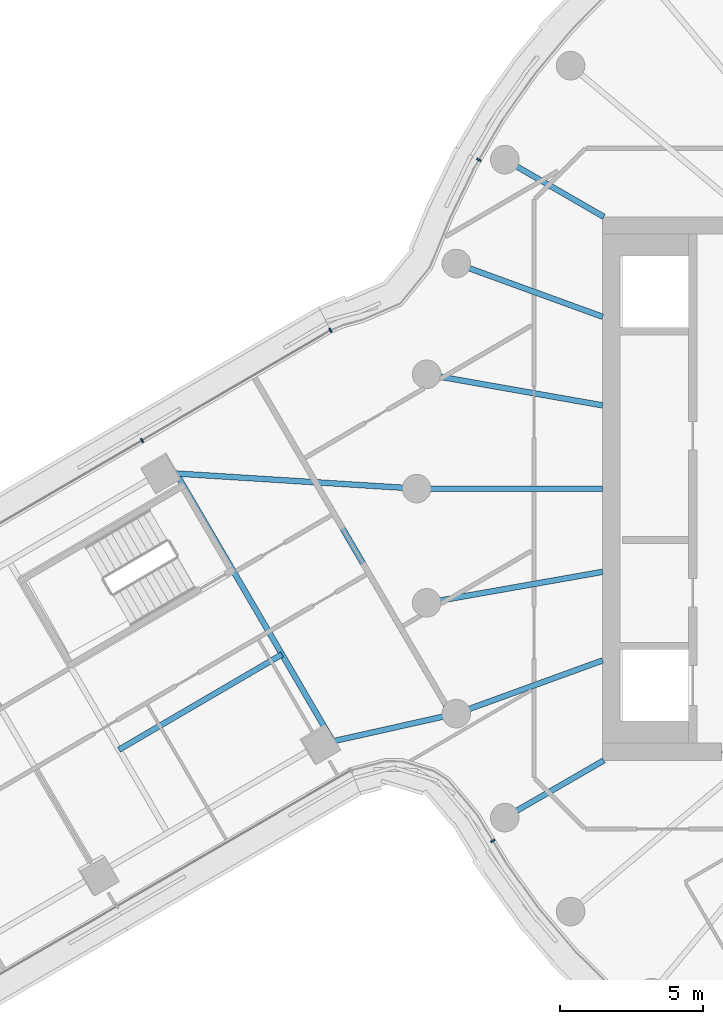
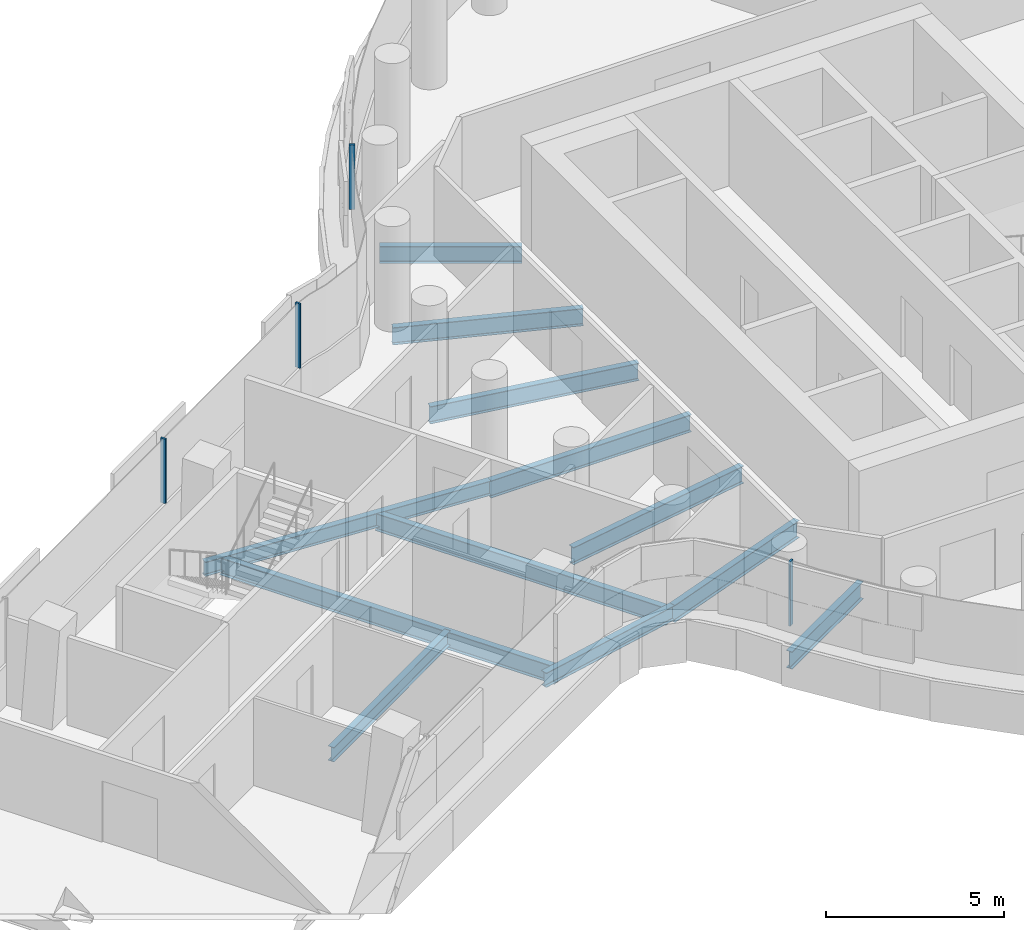
# One storey, part 8 of 35: 12 beams, 4 members, 3 elements without a shape of their own.
"""IFC4 building model written with IfcOpenShell, lengths in metres."""

from ifc_helpers import new_model, si_unit, direction, frame, origin, origin_2d, place, context, subcontext, project, spatial, rectangle, i_section, extrude, material, layer, layer_set, material_profile, profile_set, type_object, element, aggregate, save


model = new_model("IFC4")

# Units and contexts
model_context = context("Model", 3, precision=1e-05, world=origin(), true_north=direction((0.0, 1.0)))
body_context = subcontext(model_context, "Body", "Model", "MODEL_VIEW")
ifc_project = project(units=[si_unit("LENGTHUNIT", "METRE"), si_unit("AREAUNIT", "SQUARE_METRE"), si_unit("VOLUMEUNIT", "CUBIC_METRE"), si_unit("PLANEANGLEUNIT", "RADIAN"), si_unit("MASSUNIT", "GRAM", prefix="KILO")], contexts=[model_context])

# Site, building, storey
site_placement = place(None, origin())
site = spatial("IfcSite", under=ifc_project, at=site_placement, CompositionType="ELEMENT")
building_placement = place(site_placement, origin())
building = spatial("IfcBuilding", under=site, at=building_placement, Name="Tamarind Cross Interchange Tower", CompositionType="ELEMENT")
storey_placement = place(building_placement, frame((0.0, 0.0, 144.25)))
storey = spatial("IfcBuildingStorey", under=building, at=storey_placement, Name="L35", CompositionType="ELEMENT", Elevation=144.25)

# Beams
ifc_material_1 = material(Name="Steel Q355B", Category="steel")
ifc_material_profile_1 = material_profile(ifc_material_1, i_section(OverallWidth=0.198974609375, OverallDepth=0.49609375, WebThickness=0.009033203125, FlangeThickness=0.013916015625, FilletRadius=0.012939453125, at=origin_2d()), Name="HN 496x199x9x14")
ifc_profile_set_1 = profile_set([ifc_material_profile_1], Name="Steel Q355B")
beam_type_1 = type_object("IfcBeamType", Name="Composite beam HN 496x199x9x14 Q355B", PredefinedType="BEAM", material=ifc_profile_set_1)
beam_1_placement = place(storey_placement, frame((-31.941162109375, 0.561279296875, -0.387939453125), z_axis=(0.998035469088, -0.062651436077, 0.0), x_axis=(0.062651436077, 0.998035469088, 0.0)))
element("IfcBeam", 1, at=beam_1_placement, inside=storey, type_object=beam_type_1, Name="Beam W-linkem", PredefinedType="BEAM", context=body_context, shape_type="SweptSolid", body=[
    extrude(i_section(OverallWidth=0.198974609375, OverallDepth=0.49609375, WebThickness=0.009033203125, FlangeThickness=0.013916015625, FilletRadius=0.012939453125, at=origin_2d()), origin(), (0.0, 0.0, 1.0), 8.958740234375),
])
beam_2_placement = place(storey_placement, frame((-26.391357421875, -8.936279296875, -0.387939453125), z_axis=(0.975840919155, 0.218482265877, 0.0), x_axis=(-0.218482265877, 0.975840919155, 0.0)))
element("IfcBeam", 2, at=beam_2_placement, inside=storey, type_object=beam_type_1, Name="Beam W-linkep", PredefinedType="BEAM", context=body_context, shape_type="SweptSolid", body=[
    extrude(i_section(OverallWidth=0.198974609375, OverallDepth=0.49609375, WebThickness=0.009033203125, FlangeThickness=0.013916015625, FilletRadius=0.012939453125, at=origin_2d()), origin(), (0.0, 0.0, 1.0), 4.896728515625),
])
beam_3_placement = place(storey_placement, frame((-27.70556640625, -5.795166015625, -0.387939453125), z_axis=(-0.863401659884, -0.504517168894, 0.0), x_axis=(0.504517168894, -0.863401659884, 0.0)))
element("IfcBeam", 3, at=beam_3_placement, inside=storey, type_object=beam_type_1, Name="Beam W-stripp", PredefinedType="BEAM", context=body_context, shape_type="SweptSolid", body=[
    extrude(i_section(OverallWidth=0.198974609375, OverallDepth=0.49609375, WebThickness=0.009033203125, FlangeThickness=0.013916015625, FilletRadius=0.012939453125, at=origin_2d()), origin(), (0.0, 0.0, 1.0), 6.60009765625),
])
ifc_material_profile_2 = material_profile(ifc_material_1, i_section(OverallWidth=0.198974609375, OverallDepth=0.595947265625, WebThickness=0.010009765625, FlangeThickness=0.014892578125, FilletRadius=0.012939453125, at=origin_2d()), Name="HN 596x199x10x15")
ifc_profile_set_2 = profile_set([ifc_material_profile_2], Name="Steel Q355B")
beam_type_2 = type_object("IfcBeamType", Name="Composite beam HN 596x199x10x15 Q355B", PredefinedType="BEAM", material=ifc_profile_set_2)
beam_4_placement = place(storey_placement, frame((-19.918701171875, 11.5, -0.43798828125), z_axis=(0.866026010844, -0.49999894854, 0.0), x_axis=(0.49999894854, 0.866026010844, 0.0)))
element("IfcBeam", 4, at=beam_4_placement, inside=storey, type_object=beam_type_2, Name="Beam HH15", PredefinedType="BEAM", context=body_context, shape_type="SweptSolid", body=[
    extrude(i_section(OverallWidth=0.198974609375, OverallDepth=0.595947265625, WebThickness=0.010009765625, FlangeThickness=0.014892578125, FilletRadius=0.012939453125, at=origin_2d()), origin(), (0.0, 0.0, 1.0), 4.0),
])
beam_5_placement = place(storey_placement, frame((-21.613037109375, 7.866455078125, -0.43798828125), z_axis=(0.939701685589, -0.341995236956, 0.0), x_axis=(0.341995236956, 0.939701685589, 0.0)))
element("IfcBeam", 5, at=beam_5_placement, inside=storey, type_object=beam_type_2, Name="Beam HH16", PredefinedType="BEAM", context=body_context, shape_type="SweptSolid", body=[
    extrude(i_section(OverallWidth=0.198974609375, OverallDepth=0.595947265625, WebThickness=0.010009765625, FlangeThickness=0.014892578125, FilletRadius=0.012939453125, at=origin_2d()), origin(), (0.0, 0.0, 1.0), 5.441162109375),
])
beam_6_placement = place(storey_placement, frame((-22.650634765625, 3.993896484375, -0.43798828125), z_axis=(0.984809127561, -0.173640382036, 0.0), x_axis=(0.173640382036, 0.984809127561, 0.0)))
element("IfcBeam", 6, at=beam_6_placement, inside=storey, type_object=beam_type_2, Name="Beam HH17", PredefinedType="BEAM", context=body_context, shape_type="SweptSolid", body=[
    extrude(i_section(OverallWidth=0.198974609375, OverallDepth=0.595947265625, WebThickness=0.010009765625, FlangeThickness=0.014892578125, FilletRadius=0.012939453125, at=origin_2d()), origin(), (0.0, 0.0, 1.0), 6.24560546875),
])
beam_7_placement = place(storey_placement, frame((-23.0, 0.0, -0.43798828125), z_axis=(1.0, 0.0, 0.0), x_axis=(0.0, 1.0, 0.0)))
element("IfcBeam", 7, at=beam_7_placement, inside=storey, type_object=beam_type_2, Name="Beam HH18", PredefinedType="BEAM", context=body_context, shape_type="SweptSolid", body=[
    extrude(i_section(OverallWidth=0.198974609375, OverallDepth=0.595947265625, WebThickness=0.010009765625, FlangeThickness=0.014892578125, FilletRadius=0.012939453125, at=origin_2d()), origin(), (0.0, 0.0, 1.0), 6.5),
])
beam_8_placement = place(storey_placement, frame((-22.650634765625, -3.993896484375, -0.43798828125), z_axis=(0.984809127561, 0.173640382036, 0.0), x_axis=(-0.173640382036, 0.984809127561, 0.0)))
element("IfcBeam", 8, at=beam_8_placement, inside=storey, type_object=beam_type_2, Name="Beam HH19", PredefinedType="BEAM", context=body_context, shape_type="SweptSolid", body=[
    extrude(i_section(OverallWidth=0.198974609375, OverallDepth=0.595947265625, WebThickness=0.010009765625, FlangeThickness=0.014892578125, FilletRadius=0.012939453125, at=origin_2d()), origin(), (0.0, 0.0, 1.0), 6.24560546875),
])
beam_9_placement = place(storey_placement, frame((-21.613037109375, -7.866455078125, -0.43798828125), z_axis=(0.939701685589, 0.341995236956, 0.0), x_axis=(-0.341995236956, 0.939701685589, 0.0)))
element("IfcBeam", 9, at=beam_9_placement, inside=storey, type_object=beam_type_2, Name="Beam HH20", PredefinedType="BEAM", context=body_context, shape_type="SweptSolid", body=[
    extrude(i_section(OverallWidth=0.198974609375, OverallDepth=0.595947265625, WebThickness=0.010009765625, FlangeThickness=0.014892578125, FilletRadius=0.012939453125, at=origin_2d()), origin(), (0.0, 0.0, 1.0), 5.441162109375),
])
beam_10_placement = place(storey_placement, frame((-19.918701171875, -11.5, -0.43798828125), z_axis=(0.866026010844, 0.49999894854, 0.0), x_axis=(-0.49999894854, 0.866026010844, 0.0)))
element("IfcBeam", 10, at=beam_10_placement, inside=storey, type_object=beam_type_2, Name="Beam HH21", PredefinedType="BEAM", context=body_context, shape_type="SweptSolid", body=[
    extrude(i_section(OverallWidth=0.198974609375, OverallDepth=0.595947265625, WebThickness=0.010009765625, FlangeThickness=0.014892578125, FilletRadius=0.012939453125, at=origin_2d()), origin(), (0.0, 0.0, 1.0), 4.0),
])
ifc_material_profile_3 = material_profile(ifc_material_1, i_section(OverallWidth=0.199951171875, OverallDepth=0.60009765625, WebThickness=0.010986328125, FlangeThickness=0.01708984375, FilletRadius=0.012939453125, at=origin_2d()), Name="HN 600x200x11x17")
ifc_profile_set_3 = profile_set([ifc_material_profile_3], Name="Steel Q355B")
beam_type_3 = type_object("IfcBeamType", Name="Composite beam HN 600x200x11x17 Q355B", PredefinedType="BEAM", material=ifc_profile_set_3)
beam_11_placement = place(storey_placement, frame((-31.400146484375, 0.52734375, -0.43994140625), z_axis=(0.504526162049, -0.863396404792, 0.0), x_axis=(0.863396404792, 0.504526162049, 0.0)))
element("IfcBeam", 11, at=beam_11_placement, inside=storey, type_object=beam_type_3, Name="Beam W-x298", PredefinedType="BEAM", context=body_context, shape_type="SweptSolid", body=[
    extrude(i_section(OverallWidth=0.199951171875, OverallDepth=0.60009765625, WebThickness=0.010986328125, FlangeThickness=0.01708984375, FilletRadius=0.012939453125, at=origin_2d()), origin(), (0.0, 0.0, 1.0), 10.84130859375),
])
beam_12_placement = place(storey_placement, frame((-26.53076171875, 0.2216796875, -0.43994140625), z_axis=(0.504516036357, -0.863402321666, 0.0), x_axis=(0.863402321666, 0.504516036357, 0.0)))
element("IfcBeam", 12, at=beam_12_placement, inside=storey, type_object=beam_type_3, Name="Beam W-x258", PredefinedType="BEAM", context=body_context, shape_type="SweptSolid", body=[
    extrude(i_section(OverallWidth=0.199951171875, OverallDepth=0.60009765625, WebThickness=0.010986328125, FlangeThickness=0.01708984375, FilletRadius=0.012939453125, at=origin_2d()), origin(), (0.0, 0.0, 1.0), 9.41162109375),
])

# Curtain wall, member
ifc_material_2 = material(Name="Aluminium 6063-T6", Category="aluminium")
ifc_layer = layer(ifc_material_2, 0.159912109375)
ifc_layer_set = layer_set([ifc_layer], Name="Aluminium 6063-T6")
curtain_wall_type = type_object("IfcCurtainWallType", Name="Office curtain wall, 9.0 m bays", PredefinedType="NOTDEFINED", material=ifc_layer_set)
curtain_wall_1_placement = place(storey_placement, origin())
curtain_wall_1 = element("IfcCurtainWall", 13, at=curtain_wall_1_placement, inside=storey, type_object=curtain_wall_type, Name="CWS-L35-02", PredefinedType="NOTDEFINED")
ifc_material_profile_4 = material_profile(ifc_material_2, rectangle(XDim=0.06005859375, YDim=0.159912109375, at=origin_2d()), Name="Mullion CW1")
ifc_profile_set_4 = profile_set([ifc_material_profile_4], Name="Aluminium 6063-T6")
member_type = type_object("IfcMemberType", Name="Mullion CW1", PredefinedType="MULLION", material=ifc_profile_set_4)
member_1_placement = place(storey_placement, frame((-20.33740234375, -12.315185546875, 1.39990234375), z_axis=(0.0, 0.0, 1.0), x_axis=(0.515602205046, -0.856828084362, 0.0)))
member_1 = element("IfcMember", 14, at=member_1_placement, type_object=member_type, Name="CWM-L35-02-01", PredefinedType="MULLION", context=body_context, shape_type="SweptSolid", body=[
    extrude(rectangle(XDim=0.06005859375, YDim=0.159912109375, at=origin_2d()), origin(), (0.0, 0.0, 1.0), 2.210205078125),
])
aggregate(curtain_wall_1, [member_1])

curtain_wall_2_placement = place(storey_placement, origin())
curtain_wall_2 = element("IfcCurtainWall", 15, at=curtain_wall_2_placement, inside=storey, type_object=curtain_wall_type, Name="CWS-L35-14", PredefinedType="NOTDEFINED")
member_2_placement = place(storey_placement, frame((-20.823974609375, 11.493408203125, 1.39990234375), z_axis=(0.0, 0.0, 1.0), x_axis=(-0.508183308752, -0.861248933065, 0.0)))
member_2 = element("IfcMember", 16, at=member_2_placement, type_object=member_type, Name="CWM-L35-14-02", PredefinedType="MULLION", context=body_context, shape_type="SweptSolid", body=[
    extrude(rectangle(XDim=0.06005859375, YDim=0.159912109375, at=origin_2d()), origin(), (0.0, 0.0, 1.0), 2.210205078125),
])
aggregate(curtain_wall_2, [member_2])

# Curtain wall, members
curtain_wall_3_placement = place(storey_placement, origin())
curtain_wall_3 = element("IfcCurtainWall", 17, at=curtain_wall_3_placement, inside=storey, type_object=curtain_wall_type, Name="CWS-L35-15", PredefinedType="NOTDEFINED")
member_3_placement = place(storey_placement, frame((-26.01025390625, 5.532470703125, 1.39990234375), z_axis=(0.0, 0.0, 1.0), x_axis=(-0.89455088075, -0.446966130428, 0.0)))
member_3 = element("IfcMember", 18, at=member_3_placement, type_object=member_type, Name="CWM-L35-15-00", PredefinedType="MULLION", context=body_context, shape_type="SweptSolid", body=[
    extrude(rectangle(XDim=0.06005859375, YDim=0.159912109375, at=origin_2d()), origin(), (0.0, 0.0, 1.0), 2.210205078125),
])
member_4_placement = place(storey_placement, frame((-32.597900390625, 1.68310546875, 1.39990234375), z_axis=(0.0, 0.0, 1.0), x_axis=(-0.863402595057, -0.50451556849, 0.0)))
member_4 = element("IfcMember", 19, at=member_4_placement, type_object=member_type, Name="CWM-L35-15-01", PredefinedType="MULLION", context=body_context, shape_type="SweptSolid", body=[
    extrude(rectangle(XDim=0.06005859375, YDim=0.159912109375, at=origin_2d()), origin(), (0.0, 0.0, 1.0), 2.210205078125),
])
aggregate(curtain_wall_3, [member_3, member_4])

save(model, "model.ifc")
